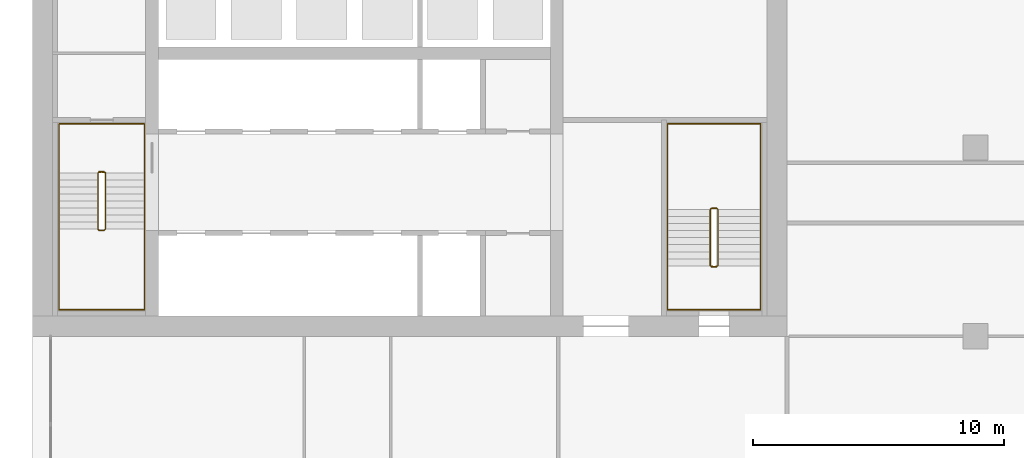
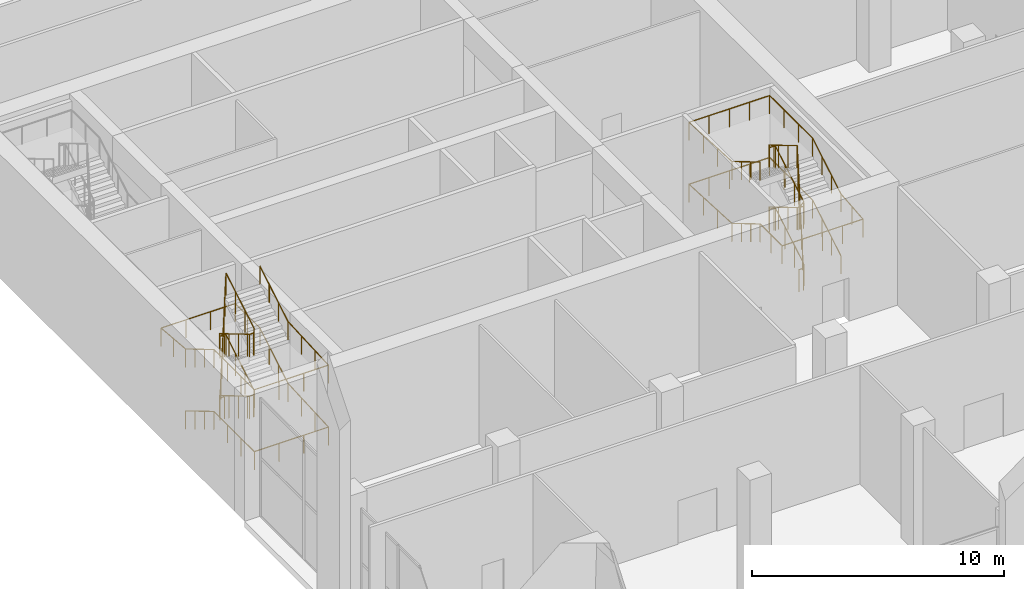
# One storey, part 21 of 23: 4 railings.
"""IFC4 building model written with IfcOpenShell, lengths in metres."""

from ifc_helpers import new_model, si_unit, direction, frame, origin, origin_2d, place, context, subcontext, project, spatial, circle, extrude, material, type_object, element, save


model = new_model("IFC4")

# Units and contexts
model_context = context("Model", 3, precision=1e-05, world=origin(), true_north=direction((0.0, 1.0)))
body_context = subcontext(model_context, "Body", "Model", "MODEL_VIEW")
ifc_project = project(units=[si_unit("LENGTHUNIT", "METRE"), si_unit("AREAUNIT", "SQUARE_METRE"), si_unit("VOLUMEUNIT", "CUBIC_METRE"), si_unit("PLANEANGLEUNIT", "RADIAN"), si_unit("MASSUNIT", "GRAM", prefix="KILO")], contexts=[model_context])

# Site, building, storey
site_placement = place(None, origin())
site = spatial("IfcSite", under=ifc_project, at=site_placement, CompositionType="ELEMENT")
building_placement = place(site_placement, origin())
building = spatial("IfcBuilding", under=site, at=building_placement, Name="Tamorin Gate", CompositionType="ELEMENT")
storey_placement = place(building_placement, frame((0.0, 0.0, 124.199951171875)))
storey = spatial("IfcBuildingStorey", under=building, at=storey_placement, Name="L30", CompositionType="ELEMENT", Elevation=124.199951171875)

# Railings
ifc_material_1 = material(Name="Painted steel balustrade", Category="steel")
railing_type_1 = type_object("IfcRailingType", Name="Stair guard 1100", PredefinedType="GUARDRAIL", material=ifc_material_1)
railing_1_placement = place(storey_placement, frame((32.60009765625, 66.5, 0.166748046875)))
element("IfcRailing", 1, at=railing_1_placement, inside=storey, type_object=railing_type_1, Name="L30 ST1 stair guard 1", PredefinedType="GUARDRAIL", context=body_context, shape_type="SweptSolid", body=[
    extrude(circle(Radius=0.02392578125, at=origin_2d()), frame((0.0, 0.0, 1.076171875), z_axis=(0.0, -0.859305625298, 0.511462454469), x_axis=(1.0, 0.0, 0.0)), (0.0, 0.0, 1.0), 2.606689453125),
    extrude(circle(Radius=0.02392578125, at=origin_2d()), frame((0.0, -2.239990234375, 2.4091796875), z_axis=(0.705375805398, -0.708833529934, 0.0), x_axis=(0.708833529934, 0.705375805398, 0.0)), (0.0, 0.0, 1.0), 0.070556640625),
    extrude(circle(Radius=0.02392578125, at=origin_2d()), frame((0.0498046875, -2.2900390625, 2.4091796875), z_axis=(1.0, 0.0, 0.0), x_axis=(0.0, 1.0, 0.0)), (0.0, 0.0, 1.0), 0.2001953125),
    extrude(circle(Radius=0.02392578125, at=origin_2d()), frame((0.25, -2.2900390625, 2.4091796875), z_axis=(0.275041040955, 0.276389281352, 0.920848191041), x_axis=(-0.708833529934, 0.705375805398, 0.0)), (0.0, 0.0, 1.0), 0.18115234375),
    extrude(circle(Radius=0.02392578125, at=origin_2d()), frame((0.2998046875, -2.239990234375, 2.576171875), z_axis=(0.0, 0.859305625298, 0.511462454469), x_axis=(-1.0, 0.0, 0.0)), (0.0, 0.0, 1.0), 2.606689453125),
    extrude(circle(Radius=0.02392578125, at=origin_2d()), frame((0.2998046875, 0.0, 3.9091796875), z_axis=(-0.98054382908, 0.196300278283, 0.0), x_axis=(-0.196300278283, -0.98054382908, 0.0)), (0.0, 0.0, 1.0), 0.2548828125),
    extrude(circle(Radius=0.02392578125, at=origin_2d()), frame((0.0498046875, 0.050048828125, 3.9091796875), z_axis=(1.0, 0.0, 0.0), x_axis=(0.0, 1.0, 0.0)), (0.0, 0.0, 1.0), 0.2001953125),
    extrude(circle(Radius=0.02392578125, at=origin_2d()), frame((0.25, 0.050048828125, 3.9091796875), z_axis=(-0.820621892478, -0.164284656209, 0.547348391174), x_axis=(0.196300278283, -0.98054382908, 0.0)), (0.0, 0.0, 1.0), 0.3046875),
    extrude(circle(Radius=0.02392578125, at=origin_2d()), frame((0.0, 0.0, 4.076171875), z_axis=(0.0, -0.859305625298, 0.511462454469), x_axis=(1.0, 0.0, 0.0)), (0.0, 0.0, 1.0), 2.606689453125),
    extrude(circle(Radius=0.02392578125, at=origin_2d()), frame((0.0, -2.239990234375, 5.4091796875), z_axis=(0.705375805398, -0.708833529934, 0.0), x_axis=(0.708833529934, 0.705375805398, 0.0)), (0.0, 0.0, 1.0), 0.070556640625),
    extrude(circle(Radius=0.02392578125, at=origin_2d()), frame((0.0498046875, -2.2900390625, 5.4091796875), z_axis=(1.0, 0.0, 0.0), x_axis=(0.0, 1.0, 0.0)), (0.0, 0.0, 1.0), 0.2001953125),
    extrude(circle(Radius=0.02392578125, at=origin_2d()), frame((0.25, -2.2900390625, 5.4091796875), z_axis=(0.275041040955, 0.276389281352, 0.920848191041), x_axis=(-0.708833529934, 0.705375805398, 0.0)), (0.0, 0.0, 1.0), 0.18115234375),
    extrude(circle(Radius=0.02392578125, at=origin_2d()), frame((0.2998046875, -2.239990234375, 5.576171875), z_axis=(0.0, 0.859305625298, 0.511462454469), x_axis=(-1.0, 0.0, 0.0)), (0.0, 0.0, 1.0), 2.606689453125),
    extrude(circle(Radius=0.02392578125, at=origin_2d()), frame((0.2998046875, 0.0, 6.9091796875), z_axis=(-0.041629098968, 0.008333950477, -0.999098375231), x_axis=(-0.196300278283, -0.98054382908, 0.0)), (0.0, 0.0, 1.0), 6.00537109375),
    extrude(circle(Radius=0.02392578125, at=origin_2d()), frame((0.0498046875, 0.050048828125, 0.9091796875), z_axis=(1.0, 0.0, 0.0), x_axis=(0.0, 1.0, 0.0)), (0.0, 0.0, 1.0), 0.2001953125),
    extrude(circle(Radius=0.02099609375, at=origin_2d()), origin(), (0.0, 0.0, 1.0), 1.052001953125),
    extrude(circle(Radius=0.02099609375, at=origin_2d()), frame((0.0, -0.74658203125, 0.4443359375)), (0.0, 0.0, 1.0), 1.052001953125),
    extrude(circle(Radius=0.02099609375, at=origin_2d()), frame((0.0, -1.493408203125, 0.888916015625)), (0.0, 0.0, 1.0), 1.052001953125),
    extrude(circle(Radius=0.02099609375, at=origin_2d()), frame((0.0, -2.239990234375, 1.333251953125)), (0.0, 0.0, 1.0), 1.052001953125),
    extrude(circle(Radius=0.02099609375, at=origin_2d()), frame((0.0498046875, -2.2900390625, 1.333251953125)), (0.0, 0.0, 1.0), 1.052001953125),
    extrude(circle(Radius=0.02099609375, at=origin_2d()), frame((0.25, -2.2900390625, 1.333251953125)), (0.0, 0.0, 1.0), 1.052001953125),
    extrude(circle(Radius=0.02099609375, at=origin_2d()), frame((0.2998046875, -2.239990234375, 1.5)), (0.0, 0.0, 1.0), 1.052001953125),
    extrude(circle(Radius=0.02099609375, at=origin_2d()), frame((0.2998046875, -1.493408203125, 1.9443359375)), (0.0, 0.0, 1.0), 1.052001953125),
    extrude(circle(Radius=0.02099609375, at=origin_2d()), frame((0.2998046875, -0.74658203125, 2.388916015625)), (0.0, 0.0, 1.0), 1.052001953125),
    extrude(circle(Radius=0.02099609375, at=origin_2d()), frame((0.2998046875, 0.0, 2.833251953125)), (0.0, 0.0, 1.0), 1.052001953125),
    extrude(circle(Radius=0.02099609375, at=origin_2d()), frame((0.0498046875, 0.050048828125, 2.833251953125)), (0.0, 0.0, 1.0), 1.052001953125),
    extrude(circle(Radius=0.02099609375, at=origin_2d()), frame((0.25, 0.050048828125, 2.833251953125)), (0.0, 0.0, 1.0), 1.052001953125),
    extrude(circle(Radius=0.02099609375, at=origin_2d()), frame((0.0, 0.0, 3.0)), (0.0, 0.0, 1.0), 1.052001953125),
    extrude(circle(Radius=0.02099609375, at=origin_2d()), frame((0.0, -0.74658203125, 3.4443359375)), (0.0, 0.0, 1.0), 1.052001953125),
    extrude(circle(Radius=0.02099609375, at=origin_2d()), frame((0.0, -1.493408203125, 3.888916015625)), (0.0, 0.0, 1.0), 1.052001953125),
    extrude(circle(Radius=0.02099609375, at=origin_2d()), frame((0.0, -2.239990234375, 4.333251953125)), (0.0, 0.0, 1.0), 1.052001953125),
    extrude(circle(Radius=0.02099609375, at=origin_2d()), frame((0.0498046875, -2.2900390625, 4.333251953125)), (0.0, 0.0, 1.0), 1.052001953125),
    extrude(circle(Radius=0.02099609375, at=origin_2d()), frame((0.25, -2.2900390625, 4.333251953125)), (0.0, 0.0, 1.0), 1.052001953125),
    extrude(circle(Radius=0.02099609375, at=origin_2d()), frame((0.2998046875, -2.239990234375, 4.5)), (0.0, 0.0, 1.0), 1.052001953125),
    extrude(circle(Radius=0.02099609375, at=origin_2d()), frame((0.2998046875, -1.493408203125, 4.9443359375)), (0.0, 0.0, 1.0), 1.052001953125),
    extrude(circle(Radius=0.02099609375, at=origin_2d()), frame((0.2998046875, -0.74658203125, 5.388916015625)), (0.0, 0.0, 1.0), 1.052001953125),
    extrude(circle(Radius=0.02099609375, at=origin_2d()), frame((0.2998046875, 0.0, 5.833251953125)), (0.0, 0.0, 1.0), 1.052001953125),
    extrude(circle(Radius=0.02099609375, at=origin_2d()), frame((0.258056640625, 0.00830078125, 4.833251953125)), (0.0, 0.0, 1.0), 1.052001953125),
    extrude(circle(Radius=0.02099609375, at=origin_2d()), frame((0.216552734375, 0.0166015625, 3.833251953125)), (0.0, 0.0, 1.0), 1.052001953125),
    extrude(circle(Radius=0.02099609375, at=origin_2d()), frame((0.1748046875, 0.02490234375, 2.833251953125)), (0.0, 0.0, 1.0), 1.052001953125),
    extrude(circle(Radius=0.02099609375, at=origin_2d()), frame((0.133056640625, 0.033447265625, 1.833251953125)), (0.0, 0.0, 1.0), 1.052001953125),
    extrude(circle(Radius=0.02099609375, at=origin_2d()), frame((0.091552734375, 0.041748046875, 0.833251953125)), (0.0, 0.0, 1.0), 1.052001953125),
    extrude(circle(Radius=0.02099609375, at=origin_2d()), frame((0.0498046875, 0.050048828125, -0.166748046875)), (0.0, 0.0, 1.0), 1.052001953125),
    extrude(circle(Radius=0.02099609375, at=origin_2d()), frame((0.25, 0.050048828125, -0.166748046875)), (0.0, 0.0, 1.0), 1.052001953125),
])
railing_2_placement = place(storey_placement, frame((57.25, 62.800048828125, 0.166748046875)))
element("IfcRailing", 2, at=railing_2_placement, inside=storey, type_object=railing_type_1, Name="L30 ST3 stair guard 1", PredefinedType="GUARDRAIL", context=body_context, shape_type="SweptSolid", body=[
    extrude(circle(Radius=0.02392578125, at=origin_2d()), frame((0.0, 0.0, 1.076171875), z_axis=(0.0, 0.859305625298, 0.511462454469), x_axis=(-1.0, 0.0, 0.0)), (0.0, 0.0, 1.0), 2.606689453125),
    extrude(circle(Radius=0.02392578125, at=origin_2d()), frame((0.0, 2.239990234375, 2.4091796875), z_axis=(-0.707106781187, 0.707106781187, 0.0), x_axis=(-0.707106781187, -0.707106781187, 0.0)), (0.0, 0.0, 1.0), 0.07080078125),
    extrude(circle(Radius=0.02392578125, at=origin_2d()), frame((-0.050048828125, 2.2900390625, 2.4091796875), z_axis=(-1.0, 0.0, 0.0), x_axis=(0.0, -1.0, 0.0)), (0.0, 0.0, 1.0), 0.199951171875),
    extrude(circle(Radius=0.02392578125, at=origin_2d()), frame((-0.25, 2.2900390625, 2.4091796875), z_axis=(-0.27628659633, -0.27628659633, 0.920506074601), x_axis=(0.707106781187, -0.707106781187, 0.0)), (0.0, 0.0, 1.0), 0.18115234375),
    extrude(circle(Radius=0.02392578125, at=origin_2d()), frame((-0.300048828125, 2.239990234375, 2.576171875), z_axis=(0.0, -0.859305625298, 0.511462454469), x_axis=(1.0, 0.0, 0.0)), (0.0, 0.0, 1.0), 2.606689453125),
    extrude(circle(Radius=0.02392578125, at=origin_2d()), frame((-0.300048828125, 0.0, 3.9091796875), z_axis=(0.98054382908, -0.196300278283, 0.0), x_axis=(0.196300278283, 0.98054382908, 0.0)), (0.0, 0.0, 1.0), 0.2548828125),
    extrude(circle(Radius=0.02392578125, at=origin_2d()), frame((-0.050048828125, -0.050048828125, 3.9091796875), z_axis=(-1.0, 0.0, 0.0), x_axis=(0.0, -1.0, 0.0)), (0.0, 0.0, 1.0), 0.199951171875),
    extrude(circle(Radius=0.02392578125, at=origin_2d()), frame((-0.25, -0.050048828125, 3.9091796875), z_axis=(0.820621892478, 0.164284656209, 0.547348391174), x_axis=(-0.196300278283, 0.98054382908, 0.0)), (0.0, 0.0, 1.0), 0.3046875),
    extrude(circle(Radius=0.02392578125, at=origin_2d()), frame((0.0, 0.0, 4.076171875), z_axis=(0.0, 0.859305625298, 0.511462454469), x_axis=(-1.0, 0.0, 0.0)), (0.0, 0.0, 1.0), 2.606689453125),
    extrude(circle(Radius=0.02392578125, at=origin_2d()), frame((0.0, 2.239990234375, 5.4091796875), z_axis=(-0.707106781187, 0.707106781187, 0.0), x_axis=(-0.707106781187, -0.707106781187, 0.0)), (0.0, 0.0, 1.0), 0.07080078125),
    extrude(circle(Radius=0.02392578125, at=origin_2d()), frame((-0.050048828125, 2.2900390625, 5.4091796875), z_axis=(-1.0, 0.0, 0.0), x_axis=(0.0, -1.0, 0.0)), (0.0, 0.0, 1.0), 0.199951171875),
    extrude(circle(Radius=0.02392578125, at=origin_2d()), frame((-0.25, 2.2900390625, 5.4091796875), z_axis=(-0.27628659633, -0.27628659633, 0.920506074601), x_axis=(0.707106781187, -0.707106781187, 0.0)), (0.0, 0.0, 1.0), 0.18115234375),
    extrude(circle(Radius=0.02392578125, at=origin_2d()), frame((-0.300048828125, 2.239990234375, 5.576171875), z_axis=(0.0, -0.859305625298, 0.511462454469), x_axis=(1.0, 0.0, 0.0)), (0.0, 0.0, 1.0), 2.606689453125),
    extrude(circle(Radius=0.02392578125, at=origin_2d()), frame((-0.300048828125, 0.0, 6.9091796875), z_axis=(0.041629098968, -0.008333950477, -0.999098375231), x_axis=(0.196300278283, 0.98054382908, 0.0)), (0.0, 0.0, 1.0), 6.00537109375),
    extrude(circle(Radius=0.02392578125, at=origin_2d()), frame((-0.050048828125, -0.050048828125, 0.9091796875), z_axis=(-1.0, 0.0, 0.0), x_axis=(0.0, -1.0, 0.0)), (0.0, 0.0, 1.0), 0.199951171875),
    extrude(circle(Radius=0.02099609375, at=origin_2d()), origin(), (0.0, 0.0, 1.0), 1.052001953125),
    extrude(circle(Radius=0.02099609375, at=origin_2d()), frame((0.0, 0.74658203125, 0.4443359375)), (0.0, 0.0, 1.0), 1.052001953125),
    extrude(circle(Radius=0.02099609375, at=origin_2d()), frame((0.0, 1.493408203125, 0.888916015625)), (0.0, 0.0, 1.0), 1.052001953125),
    extrude(circle(Radius=0.02099609375, at=origin_2d()), frame((0.0, 2.239990234375, 1.333251953125)), (0.0, 0.0, 1.0), 1.052001953125),
    extrude(circle(Radius=0.02099609375, at=origin_2d()), frame((-0.050048828125, 2.2900390625, 1.333251953125)), (0.0, 0.0, 1.0), 1.052001953125),
    extrude(circle(Radius=0.02099609375, at=origin_2d()), frame((-0.25, 2.2900390625, 1.333251953125)), (0.0, 0.0, 1.0), 1.052001953125),
    extrude(circle(Radius=0.02099609375, at=origin_2d()), frame((-0.300048828125, 2.239990234375, 1.5)), (0.0, 0.0, 1.0), 1.052001953125),
    extrude(circle(Radius=0.02099609375, at=origin_2d()), frame((-0.300048828125, 1.493408203125, 1.9443359375)), (0.0, 0.0, 1.0), 1.052001953125),
    extrude(circle(Radius=0.02099609375, at=origin_2d()), frame((-0.300048828125, 0.74658203125, 2.388916015625)), (0.0, 0.0, 1.0), 1.052001953125),
    extrude(circle(Radius=0.02099609375, at=origin_2d()), frame((-0.300048828125, 0.0, 2.833251953125)), (0.0, 0.0, 1.0), 1.052001953125),
    extrude(circle(Radius=0.02099609375, at=origin_2d()), frame((-0.050048828125, -0.050048828125, 2.833251953125)), (0.0, 0.0, 1.0), 1.052001953125),
    extrude(circle(Radius=0.02099609375, at=origin_2d()), frame((-0.25, -0.050048828125, 2.833251953125)), (0.0, 0.0, 1.0), 1.052001953125),
    extrude(circle(Radius=0.02099609375, at=origin_2d()), frame((0.0, 0.0, 3.0)), (0.0, 0.0, 1.0), 1.052001953125),
    extrude(circle(Radius=0.02099609375, at=origin_2d()), frame((0.0, 0.74658203125, 3.4443359375)), (0.0, 0.0, 1.0), 1.052001953125),
    extrude(circle(Radius=0.02099609375, at=origin_2d()), frame((0.0, 1.493408203125, 3.888916015625)), (0.0, 0.0, 1.0), 1.052001953125),
    extrude(circle(Radius=0.02099609375, at=origin_2d()), frame((0.0, 2.239990234375, 4.333251953125)), (0.0, 0.0, 1.0), 1.052001953125),
    extrude(circle(Radius=0.02099609375, at=origin_2d()), frame((-0.050048828125, 2.2900390625, 4.333251953125)), (0.0, 0.0, 1.0), 1.052001953125),
    extrude(circle(Radius=0.02099609375, at=origin_2d()), frame((-0.25, 2.2900390625, 4.333251953125)), (0.0, 0.0, 1.0), 1.052001953125),
    extrude(circle(Radius=0.02099609375, at=origin_2d()), frame((-0.300048828125, 2.239990234375, 4.5)), (0.0, 0.0, 1.0), 1.052001953125),
    extrude(circle(Radius=0.02099609375, at=origin_2d()), frame((-0.300048828125, 1.493408203125, 4.9443359375)), (0.0, 0.0, 1.0), 1.052001953125),
    extrude(circle(Radius=0.02099609375, at=origin_2d()), frame((-0.300048828125, 0.74658203125, 5.388916015625)), (0.0, 0.0, 1.0), 1.052001953125),
    extrude(circle(Radius=0.02099609375, at=origin_2d()), frame((-0.300048828125, 0.0, 5.833251953125)), (0.0, 0.0, 1.0), 1.052001953125),
    extrude(circle(Radius=0.02099609375, at=origin_2d()), frame((-0.25830078125, -0.00830078125, 4.833251953125)), (0.0, 0.0, 1.0), 1.052001953125),
    extrude(circle(Radius=0.02099609375, at=origin_2d()), frame((-0.216796875, -0.0166015625, 3.833251953125)), (0.0, 0.0, 1.0), 1.052001953125),
    extrude(circle(Radius=0.02099609375, at=origin_2d()), frame((-0.175048828125, -0.02490234375, 2.833251953125)), (0.0, 0.0, 1.0), 1.052001953125),
    extrude(circle(Radius=0.02099609375, at=origin_2d()), frame((-0.13330078125, -0.033447265625, 1.833251953125)), (0.0, 0.0, 1.0), 1.052001953125),
    extrude(circle(Radius=0.02099609375, at=origin_2d()), frame((-0.091796875, -0.041748046875, 0.833251953125)), (0.0, 0.0, 1.0), 1.052001953125),
    extrude(circle(Radius=0.02099609375, at=origin_2d()), frame((-0.050048828125, -0.050048828125, -0.166748046875)), (0.0, 0.0, 1.0), 1.052001953125),
    extrude(circle(Radius=0.02099609375, at=origin_2d()), frame((-0.25, -0.050048828125, -0.166748046875)), (0.0, 0.0, 1.0), 1.052001953125),
])
ifc_material_2 = material(Name="Painted steel handrail", Category="steel")
railing_type_2 = type_object("IfcRailingType", Name="Stair handrail 900", PredefinedType="HANDRAIL", material=ifc_material_2)
railing_3_placement = place(storey_placement, frame((31.050048828125, 66.5, 0.166748046875)))
element("IfcRailing", 3, at=railing_3_placement, inside=storey, type_object=railing_type_2, Name="L30 ST1 stair handrail 1", PredefinedType="HANDRAIL", context=body_context, shape_type="SweptSolid", body=[
    extrude(circle(Radius=0.02392578125, at=origin_2d()), frame((0.0, 0.0, 0.8759765625), z_axis=(0.0, -0.859305625298, 0.511462454469), x_axis=(1.0, 0.0, 0.0)), (0.0, 0.0, 1.0), 2.606689453125),
    extrude(circle(Radius=0.02392578125, at=origin_2d()), frame((0.0, -2.239990234375, 2.208984375), z_axis=(0.0, -1.0, 0.0), x_axis=(1.0, 0.0, 0.0)), (0.0, 0.0, 1.0), 3.2099609375),
    extrude(circle(Radius=0.02392578125, at=origin_2d()), frame((0.0, -5.449951171875, 2.208984375), z_axis=(1.0, 0.0, 0.0), x_axis=(0.0, 1.0, 0.0)), (0.0, 0.0, 1.0), 3.39990234375),
    extrude(circle(Radius=0.02392578125, at=origin_2d()), frame((3.39990234375, -5.449951171875, 2.208984375), z_axis=(0.0, 0.998653475843, 0.051877116215), x_axis=(-1.0, 0.0, 0.0)), (0.0, 0.0, 1.0), 3.21435546875),
    extrude(circle(Radius=0.02392578125, at=origin_2d()), frame((3.39990234375, -2.239990234375, 2.3759765625), z_axis=(0.0, 0.859305625298, 0.511462454469), x_axis=(-1.0, 0.0, 0.0)), (0.0, 0.0, 1.0), 2.606689453125),
    extrude(circle(Radius=0.02392578125, at=origin_2d()), frame((3.39990234375, 0.0, 3.708984375), z_axis=(0.0, 1.0, 0.0), x_axis=(-1.0, 0.0, 0.0)), (0.0, 0.0, 1.0), 1.949951171875),
    extrude(circle(Radius=0.02392578125, at=origin_2d()), frame((3.39990234375, 1.949951171875, 3.708984375), z_axis=(-1.0, 0.0, 0.0), x_axis=(0.0, -1.0, 0.0)), (0.0, 0.0, 1.0), 3.39990234375),
    extrude(circle(Radius=0.02392578125, at=origin_2d()), frame((0.0, 1.949951171875, 3.708984375), z_axis=(0.0, -0.996363612883, 0.085202998322), x_axis=(1.0, 0.0, 0.0)), (0.0, 0.0, 1.0), 1.95703125),
    extrude(circle(Radius=0.02392578125, at=origin_2d()), frame((0.0, 0.0, 3.8759765625), z_axis=(0.0, -0.859305625298, 0.511462454469), x_axis=(1.0, 0.0, 0.0)), (0.0, 0.0, 1.0), 2.606689453125),
    extrude(circle(Radius=0.02392578125, at=origin_2d()), frame((0.0, -2.239990234375, 5.208984375), z_axis=(0.0, -1.0, 0.0), x_axis=(1.0, 0.0, 0.0)), (0.0, 0.0, 1.0), 3.2099609375),
    extrude(circle(Radius=0.02392578125, at=origin_2d()), frame((0.0, -5.449951171875, 5.208984375), z_axis=(1.0, 0.0, 0.0), x_axis=(0.0, 1.0, 0.0)), (0.0, 0.0, 1.0), 3.39990234375),
    extrude(circle(Radius=0.02392578125, at=origin_2d()), frame((3.39990234375, -5.449951171875, 5.208984375), z_axis=(0.0, 0.998653475843, 0.051877116215), x_axis=(-1.0, 0.0, 0.0)), (0.0, 0.0, 1.0), 3.21435546875),
    extrude(circle(Radius=0.02392578125, at=origin_2d()), frame((3.39990234375, -2.239990234375, 5.3759765625), z_axis=(0.0, 0.859305625298, 0.511462454469), x_axis=(-1.0, 0.0, 0.0)), (0.0, 0.0, 1.0), 2.606689453125),
    extrude(circle(Radius=0.02099609375, at=origin_2d()), origin(), (0.0, 0.0, 1.0), 0.851806640625),
    extrude(circle(Radius=0.02099609375, at=origin_2d()), frame((0.0, -0.74658203125, 0.4443359375)), (0.0, 0.0, 1.0), 0.851806640625),
    extrude(circle(Radius=0.02099609375, at=origin_2d()), frame((0.0, -1.493408203125, 0.888916015625)), (0.0, 0.0, 1.0), 0.851806640625),
    extrude(circle(Radius=0.02099609375, at=origin_2d()), frame((0.0, -2.239990234375, 1.333251953125)), (0.0, 0.0, 1.0), 0.851806640625),
    extrude(circle(Radius=0.02099609375, at=origin_2d()), frame((0.0, -3.31005859375, 1.333251953125)), (0.0, 0.0, 1.0), 0.851806640625),
    extrude(circle(Radius=0.02099609375, at=origin_2d()), frame((0.0, -4.3798828125, 1.333251953125)), (0.0, 0.0, 1.0), 0.851806640625),
    extrude(circle(Radius=0.02099609375, at=origin_2d()), frame((0.0, -5.449951171875, 1.333251953125)), (0.0, 0.0, 1.0), 0.851806640625),
    extrude(circle(Radius=0.02099609375, at=origin_2d()), frame((1.13330078125, -5.449951171875, 1.333251953125)), (0.0, 0.0, 1.0), 0.851806640625),
    extrude(circle(Radius=0.02099609375, at=origin_2d()), frame((2.2666015625, -5.449951171875, 1.333251953125)), (0.0, 0.0, 1.0), 0.851806640625),
    extrude(circle(Radius=0.02099609375, at=origin_2d()), frame((3.39990234375, -5.449951171875, 1.333251953125)), (0.0, 0.0, 1.0), 0.851806640625),
    extrude(circle(Radius=0.02099609375, at=origin_2d()), frame((3.39990234375, -4.3798828125, 1.388916015625)), (0.0, 0.0, 1.0), 0.851806640625),
    extrude(circle(Radius=0.02099609375, at=origin_2d()), frame((3.39990234375, -3.31005859375, 1.4443359375)), (0.0, 0.0, 1.0), 0.851806640625),
    extrude(circle(Radius=0.02099609375, at=origin_2d()), frame((3.39990234375, -2.239990234375, 1.5)), (0.0, 0.0, 1.0), 0.851806640625),
    extrude(circle(Radius=0.02099609375, at=origin_2d()), frame((3.39990234375, -1.493408203125, 1.9443359375)), (0.0, 0.0, 1.0), 0.851806640625),
    extrude(circle(Radius=0.02099609375, at=origin_2d()), frame((3.39990234375, -0.74658203125, 2.388916015625)), (0.0, 0.0, 1.0), 0.851806640625),
    extrude(circle(Radius=0.02099609375, at=origin_2d()), frame((3.39990234375, 0.0, 2.833251953125)), (0.0, 0.0, 1.0), 0.851806640625),
    extrude(circle(Radius=0.02099609375, at=origin_2d()), frame((3.39990234375, 0.97509765625, 2.833251953125)), (0.0, 0.0, 1.0), 0.851806640625),
    extrude(circle(Radius=0.02099609375, at=origin_2d()), frame((3.39990234375, 1.949951171875, 2.833251953125)), (0.0, 0.0, 1.0), 0.851806640625),
    extrude(circle(Radius=0.02099609375, at=origin_2d()), frame((2.2666015625, 1.949951171875, 2.833251953125)), (0.0, 0.0, 1.0), 0.851806640625),
    extrude(circle(Radius=0.02099609375, at=origin_2d()), frame((1.13330078125, 1.949951171875, 2.833251953125)), (0.0, 0.0, 1.0), 0.851806640625),
    extrude(circle(Radius=0.02099609375, at=origin_2d()), frame((0.0, 1.949951171875, 2.833251953125)), (0.0, 0.0, 1.0), 0.851806640625),
    extrude(circle(Radius=0.02099609375, at=origin_2d()), frame((0.0, 0.97509765625, 2.91650390625)), (0.0, 0.0, 1.0), 0.851806640625),
    extrude(circle(Radius=0.02099609375, at=origin_2d()), frame((0.0, 0.0, 3.0)), (0.0, 0.0, 1.0), 0.851806640625),
    extrude(circle(Radius=0.02099609375, at=origin_2d()), frame((0.0, -0.74658203125, 3.4443359375)), (0.0, 0.0, 1.0), 0.851806640625),
    extrude(circle(Radius=0.02099609375, at=origin_2d()), frame((0.0, -1.493408203125, 3.888916015625)), (0.0, 0.0, 1.0), 0.851806640625),
    extrude(circle(Radius=0.02099609375, at=origin_2d()), frame((0.0, -2.239990234375, 4.333251953125)), (0.0, 0.0, 1.0), 0.851806640625),
    extrude(circle(Radius=0.02099609375, at=origin_2d()), frame((0.0, -3.31005859375, 4.333251953125)), (0.0, 0.0, 1.0), 0.851806640625),
    extrude(circle(Radius=0.02099609375, at=origin_2d()), frame((0.0, -4.3798828125, 4.333251953125)), (0.0, 0.0, 1.0), 0.851806640625),
    extrude(circle(Radius=0.02099609375, at=origin_2d()), frame((0.0, -5.449951171875, 4.333251953125)), (0.0, 0.0, 1.0), 0.851806640625),
    extrude(circle(Radius=0.02099609375, at=origin_2d()), frame((1.13330078125, -5.449951171875, 4.333251953125)), (0.0, 0.0, 1.0), 0.851806640625),
    extrude(circle(Radius=0.02099609375, at=origin_2d()), frame((2.2666015625, -5.449951171875, 4.333251953125)), (0.0, 0.0, 1.0), 0.851806640625),
    extrude(circle(Radius=0.02099609375, at=origin_2d()), frame((3.39990234375, -5.449951171875, 4.333251953125)), (0.0, 0.0, 1.0), 0.851806640625),
    extrude(circle(Radius=0.02099609375, at=origin_2d()), frame((3.39990234375, -4.3798828125, 4.388916015625)), (0.0, 0.0, 1.0), 0.851806640625),
    extrude(circle(Radius=0.02099609375, at=origin_2d()), frame((3.39990234375, -3.31005859375, 4.4443359375)), (0.0, 0.0, 1.0), 0.851806640625),
    extrude(circle(Radius=0.02099609375, at=origin_2d()), frame((3.39990234375, -2.239990234375, 4.5)), (0.0, 0.0, 1.0), 0.851806640625),
    extrude(circle(Radius=0.02099609375, at=origin_2d()), frame((3.39990234375, -1.493408203125, 4.9443359375)), (0.0, 0.0, 1.0), 0.851806640625),
    extrude(circle(Radius=0.02099609375, at=origin_2d()), frame((3.39990234375, -0.74658203125, 5.388916015625)), (0.0, 0.0, 1.0), 0.851806640625),
    extrude(circle(Radius=0.02099609375, at=origin_2d()), frame((3.39990234375, 0.0, 5.833251953125)), (0.0, 0.0, 1.0), 0.851806640625),
])
railing_4_placement = place(storey_placement, frame((58.949951171875, 62.800048828125, 0.166748046875)))
element("IfcRailing", 4, at=railing_4_placement, inside=storey, type_object=railing_type_2, Name="L30 ST3 stair handrail 1", PredefinedType="HANDRAIL", context=body_context, shape_type="SweptSolid", body=[
    extrude(circle(Radius=0.02392578125, at=origin_2d()), frame((0.0, 0.0, 0.8759765625), z_axis=(0.0, 0.859305625298, 0.511462454469), x_axis=(-1.0, 0.0, 0.0)), (0.0, 0.0, 1.0), 2.606689453125),
    extrude(circle(Radius=0.02392578125, at=origin_2d()), frame((0.0, 2.239990234375, 2.208984375), z_axis=(0.0, 1.0, 0.0), x_axis=(-1.0, 0.0, 0.0)), (0.0, 0.0, 1.0), 3.409912109375),
    extrude(circle(Radius=0.02392578125, at=origin_2d()), frame((0.0, 5.64990234375, 2.208984375), z_axis=(-1.0, 0.0, 0.0), x_axis=(0.0, -1.0, 0.0)), (0.0, 0.0, 1.0), 3.699951171875),
    extrude(circle(Radius=0.02392578125, at=origin_2d()), frame((-3.699951171875, 5.64990234375, 2.208984375), z_axis=(0.0, -0.998806487149, 0.048842616934), x_axis=(1.0, 0.0, 0.0)), (0.0, 0.0, 1.0), 3.4140625),
    extrude(circle(Radius=0.02392578125, at=origin_2d()), frame((-3.699951171875, 2.239990234375, 2.3759765625), z_axis=(0.0, -0.859305625298, 0.511462454469), x_axis=(1.0, 0.0, 0.0)), (0.0, 0.0, 1.0), 2.606689453125),
    extrude(circle(Radius=0.02392578125, at=origin_2d()), frame((-3.699951171875, 0.0, 3.708984375), z_axis=(0.0, -1.0, 0.0), x_axis=(1.0, 0.0, 0.0)), (0.0, 0.0, 1.0), 1.75),
    extrude(circle(Radius=0.02392578125, at=origin_2d()), frame((-3.699951171875, -1.75, 3.708984375), z_axis=(1.0, 0.0, 0.0), x_axis=(0.0, 1.0, 0.0)), (0.0, 0.0, 1.0), 3.699951171875),
    extrude(circle(Radius=0.02392578125, at=origin_2d()), frame((0.0, -1.75, 3.708984375), z_axis=(0.0, 0.995491102282, 0.094854969707), x_axis=(-1.0, 0.0, 0.0)), (0.0, 0.0, 1.0), 1.7578125),
    extrude(circle(Radius=0.02392578125, at=origin_2d()), frame((0.0, 0.0, 3.8759765625), z_axis=(0.0, 0.859305625298, 0.511462454469), x_axis=(-1.0, 0.0, 0.0)), (0.0, 0.0, 1.0), 2.606689453125),
    extrude(circle(Radius=0.02392578125, at=origin_2d()), frame((0.0, 2.239990234375, 5.208984375), z_axis=(0.0, 1.0, 0.0), x_axis=(-1.0, 0.0, 0.0)), (0.0, 0.0, 1.0), 3.409912109375),
    extrude(circle(Radius=0.02392578125, at=origin_2d()), frame((0.0, 5.64990234375, 5.208984375), z_axis=(-1.0, 0.0, 0.0), x_axis=(0.0, -1.0, 0.0)), (0.0, 0.0, 1.0), 3.699951171875),
    extrude(circle(Radius=0.02392578125, at=origin_2d()), frame((-3.699951171875, 5.64990234375, 5.208984375), z_axis=(0.0, -0.998806487149, 0.048842616934), x_axis=(1.0, 0.0, 0.0)), (0.0, 0.0, 1.0), 3.4140625),
    extrude(circle(Radius=0.02392578125, at=origin_2d()), frame((-3.699951171875, 2.239990234375, 5.3759765625), z_axis=(0.0, -0.859305625298, 0.511462454469), x_axis=(1.0, 0.0, 0.0)), (0.0, 0.0, 1.0), 2.606689453125),
    extrude(circle(Radius=0.02099609375, at=origin_2d()), origin(), (0.0, 0.0, 1.0), 0.851806640625),
    extrude(circle(Radius=0.02099609375, at=origin_2d()), frame((0.0, 0.74658203125, 0.4443359375)), (0.0, 0.0, 1.0), 0.851806640625),
    extrude(circle(Radius=0.02099609375, at=origin_2d()), frame((0.0, 1.493408203125, 0.888916015625)), (0.0, 0.0, 1.0), 0.851806640625),
    extrude(circle(Radius=0.02099609375, at=origin_2d()), frame((0.0, 2.239990234375, 1.333251953125)), (0.0, 0.0, 1.0), 0.851806640625),
    extrude(circle(Radius=0.02099609375, at=origin_2d()), frame((0.0, 3.376708984375, 1.333251953125)), (0.0, 0.0, 1.0), 0.851806640625),
    extrude(circle(Radius=0.02099609375, at=origin_2d()), frame((0.0, 4.51318359375, 1.333251953125)), (0.0, 0.0, 1.0), 0.851806640625),
    extrude(circle(Radius=0.02099609375, at=origin_2d()), frame((0.0, 5.64990234375, 1.333251953125)), (0.0, 0.0, 1.0), 0.851806640625),
    extrude(circle(Radius=0.02099609375, at=origin_2d()), frame((-0.925048828125, 5.64990234375, 1.333251953125)), (0.0, 0.0, 1.0), 0.851806640625),
    extrude(circle(Radius=0.02099609375, at=origin_2d()), frame((-1.85009765625, 5.64990234375, 1.333251953125)), (0.0, 0.0, 1.0), 0.851806640625),
    extrude(circle(Radius=0.02099609375, at=origin_2d()), frame((-2.77490234375, 5.64990234375, 1.333251953125)), (0.0, 0.0, 1.0), 0.851806640625),
    extrude(circle(Radius=0.02099609375, at=origin_2d()), frame((-3.699951171875, 5.64990234375, 1.333251953125)), (0.0, 0.0, 1.0), 0.851806640625),
    extrude(circle(Radius=0.02099609375, at=origin_2d()), frame((-3.699951171875, 4.51318359375, 1.388916015625)), (0.0, 0.0, 1.0), 0.851806640625),
    extrude(circle(Radius=0.02099609375, at=origin_2d()), frame((-3.699951171875, 3.376708984375, 1.4443359375)), (0.0, 0.0, 1.0), 0.851806640625),
    extrude(circle(Radius=0.02099609375, at=origin_2d()), frame((-3.699951171875, 2.239990234375, 1.5)), (0.0, 0.0, 1.0), 0.851806640625),
    extrude(circle(Radius=0.02099609375, at=origin_2d()), frame((-3.699951171875, 1.493408203125, 1.9443359375)), (0.0, 0.0, 1.0), 0.851806640625),
    extrude(circle(Radius=0.02099609375, at=origin_2d()), frame((-3.699951171875, 0.74658203125, 2.388916015625)), (0.0, 0.0, 1.0), 0.851806640625),
    extrude(circle(Radius=0.02099609375, at=origin_2d()), frame((-3.699951171875, 0.0, 2.833251953125)), (0.0, 0.0, 1.0), 0.851806640625),
    extrude(circle(Radius=0.02099609375, at=origin_2d()), frame((-3.699951171875, -0.875, 2.833251953125)), (0.0, 0.0, 1.0), 0.851806640625),
    extrude(circle(Radius=0.02099609375, at=origin_2d()), frame((-3.699951171875, -1.75, 2.833251953125)), (0.0, 0.0, 1.0), 0.851806640625),
    extrude(circle(Radius=0.02099609375, at=origin_2d()), frame((-2.77490234375, -1.75, 2.833251953125)), (0.0, 0.0, 1.0), 0.851806640625),
    extrude(circle(Radius=0.02099609375, at=origin_2d()), frame((-1.85009765625, -1.75, 2.833251953125)), (0.0, 0.0, 1.0), 0.851806640625),
    extrude(circle(Radius=0.02099609375, at=origin_2d()), frame((-0.925048828125, -1.75, 2.833251953125)), (0.0, 0.0, 1.0), 0.851806640625),
    extrude(circle(Radius=0.02099609375, at=origin_2d()), frame((0.0, -1.75, 2.833251953125)), (0.0, 0.0, 1.0), 0.851806640625),
    extrude(circle(Radius=0.02099609375, at=origin_2d()), frame((0.0, -0.875, 2.91650390625)), (0.0, 0.0, 1.0), 0.851806640625),
    extrude(circle(Radius=0.02099609375, at=origin_2d()), frame((0.0, 0.0, 3.0)), (0.0, 0.0, 1.0), 0.851806640625),
    extrude(circle(Radius=0.02099609375, at=origin_2d()), frame((0.0, 0.74658203125, 3.4443359375)), (0.0, 0.0, 1.0), 0.851806640625),
    extrude(circle(Radius=0.02099609375, at=origin_2d()), frame((0.0, 1.493408203125, 3.888916015625)), (0.0, 0.0, 1.0), 0.851806640625),
    extrude(circle(Radius=0.02099609375, at=origin_2d()), frame((0.0, 2.239990234375, 4.333251953125)), (0.0, 0.0, 1.0), 0.851806640625),
    extrude(circle(Radius=0.02099609375, at=origin_2d()), frame((0.0, 3.376708984375, 4.333251953125)), (0.0, 0.0, 1.0), 0.851806640625),
    extrude(circle(Radius=0.02099609375, at=origin_2d()), frame((0.0, 4.51318359375, 4.333251953125)), (0.0, 0.0, 1.0), 0.851806640625),
    extrude(circle(Radius=0.02099609375, at=origin_2d()), frame((0.0, 5.64990234375, 4.333251953125)), (0.0, 0.0, 1.0), 0.851806640625),
    extrude(circle(Radius=0.02099609375, at=origin_2d()), frame((-0.925048828125, 5.64990234375, 4.333251953125)), (0.0, 0.0, 1.0), 0.851806640625),
    extrude(circle(Radius=0.02099609375, at=origin_2d()), frame((-1.85009765625, 5.64990234375, 4.333251953125)), (0.0, 0.0, 1.0), 0.851806640625),
    extrude(circle(Radius=0.02099609375, at=origin_2d()), frame((-2.77490234375, 5.64990234375, 4.333251953125)), (0.0, 0.0, 1.0), 0.851806640625),
    extrude(circle(Radius=0.02099609375, at=origin_2d()), frame((-3.699951171875, 5.64990234375, 4.333251953125)), (0.0, 0.0, 1.0), 0.851806640625),
    extrude(circle(Radius=0.02099609375, at=origin_2d()), frame((-3.699951171875, 4.51318359375, 4.388916015625)), (0.0, 0.0, 1.0), 0.851806640625),
    extrude(circle(Radius=0.02099609375, at=origin_2d()), frame((-3.699951171875, 3.376708984375, 4.4443359375)), (0.0, 0.0, 1.0), 0.851806640625),
    extrude(circle(Radius=0.02099609375, at=origin_2d()), frame((-3.699951171875, 2.239990234375, 4.5)), (0.0, 0.0, 1.0), 0.851806640625),
    extrude(circle(Radius=0.02099609375, at=origin_2d()), frame((-3.699951171875, 1.493408203125, 4.9443359375)), (0.0, 0.0, 1.0), 0.851806640625),
    extrude(circle(Radius=0.02099609375, at=origin_2d()), frame((-3.699951171875, 0.74658203125, 5.388916015625)), (0.0, 0.0, 1.0), 0.851806640625),
    extrude(circle(Radius=0.02099609375, at=origin_2d()), frame((-3.699951171875, 0.0, 5.833251953125)), (0.0, 0.0, 1.0), 0.851806640625),
])

save(model, "model.ifc")
